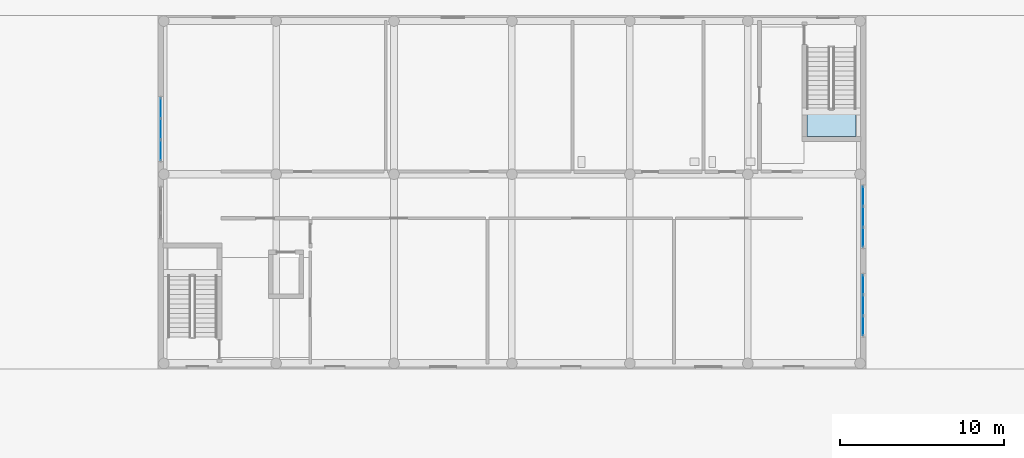
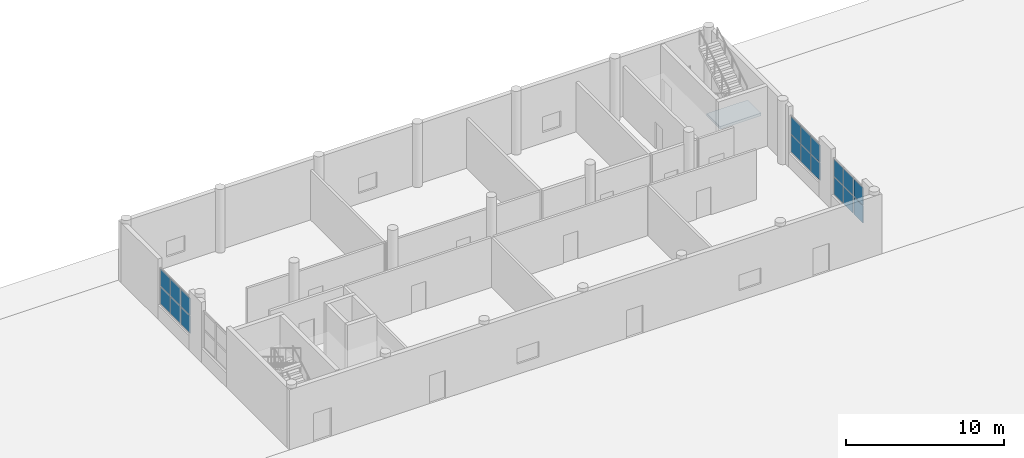
# One storey, part 33 of 85: 18 plates, 1 slab, 4 elements without a shape of their own.
"""IFC4 building model written with IfcOpenShell, lengths in metres."""

from ifc_helpers import new_model, si_unit, derived_unit, direction, frame, origin, origin_2d, place, context, subcontext, project, spatial, polyline, rectangle, outline, extrude, material, layer, layer_set, type_object, element, aggregate, save


model = new_model("IFC4")

# Units and contexts
model_context = context("Model", 3, precision=1e-05, world=origin(), true_north=direction((0.0, 1.0)))
body_context = subcontext(model_context, "Body", "Model", "MODEL_VIEW")
ifc_project = project(units=[si_unit("LENGTHUNIT", "METRE"), si_unit("AREAUNIT", "SQUARE_METRE"), si_unit("VOLUMEUNIT", "CUBIC_METRE"), si_unit("PLANEANGLEUNIT", "RADIAN"), si_unit("MASSUNIT", "GRAM", prefix="KILO"), derived_unit("THERMALTRANSMITTANCEUNIT", [(si_unit("MASSUNIT", "GRAM", prefix="KILO"), 1), (si_unit("TIMEUNIT", "SECOND"), -3), (si_unit("THERMODYNAMICTEMPERATUREUNIT", "KELVIN"), -1)])], contexts=[model_context])

# Site, building, storey
site_placement = place(None, origin())
site = spatial("IfcSite", under=ifc_project, at=site_placement, CompositionType="ELEMENT")
building_placement = place(site_placement, origin())
building = spatial("IfcBuilding", under=site, at=building_placement, Name="Ochrekiln Boulevard Commons", CompositionType="ELEMENT")
storey_placement = place(building_placement, origin())
storey = spatial("IfcBuildingStorey", under=building, at=storey_placement, Name="L00", CompositionType="ELEMENT", Elevation=0.0)

# Curtain wall, plates
ifc_material_1 = material(Name="Bronze-anodized extruded aluminium 6063-T6", Category="aluminium")
ifc_layer_1 = layer(ifc_material_1, 0.219970703125)
ifc_layer_set_1 = layer_set([ifc_layer_1], Name="Bronze-anodized extruded aluminium 6063-T6")
curtain_wall_type = type_object("IfcCurtainWallType", Name="CW-NUR", PredefinedType="USERDEFINED", material=ifc_layer_set_1)
curtain_wall_1_placement = place(storey_placement, origin())
curtain_wall_1 = element("IfcCurtainWall", 1, at=curtain_wall_1_placement, inside=storey, type_object=curtain_wall_type, Name="Nursery L00 Garden End Curtain Wall W-2", ObjectType="GLAZED CURTAIN WALL", PredefinedType="USERDEFINED")
ifc_material_2 = material(Name="Spectrally selective low-E insulated glazing", Category="glass")
ifc_layer_2 = layer(ifc_material_2, 0.02392578125)
ifc_layer_set_2 = layer_set([ifc_layer_2], Name="Spectrally selective low-E insulated glazing")
plate_type_1 = type_object("IfcPlateType", Name="CWP-GLZ-1", PredefinedType="CURTAIN_PANEL", material=ifc_layer_set_2)
plate_1_placement = place(storey_placement, frame((64.9599609375, 110.566162109375, 1.1748046875), z_axis=(0.0, 0.0, 1.0), x_axis=(0.0, 1.0, 0.0)))
plate_1 = element("IfcPlate", 2, at=plate_1_placement, type_object=plate_type_1, Name="CW-05 panel 1.1", PredefinedType="CURTAIN_PANEL", context=body_context, shape_type="SweptSolid", body=[
    extrude(rectangle(XDim=1.202392578125, YDim=0.02392578125, at=origin_2d()), origin(), (0.0, 0.0, 1.0), 1.322509765625),
])
plate_2_placement = place(storey_placement, frame((64.9599609375, 110.566162109375, 2.5625), z_axis=(0.0, 0.0, 1.0), x_axis=(0.0, 1.0, 0.0)))
plate_2 = element("IfcPlate", 3, at=plate_2_placement, type_object=plate_type_1, Name="CW-05 panel 1.2", PredefinedType="CURTAIN_PANEL", context=body_context, shape_type="SweptSolid", body=[
    extrude(rectangle(XDim=1.202392578125, YDim=0.02392578125, at=origin_2d()), origin(), (0.0, 0.0, 1.0), 1.322509765625),
])
plate_3_placement = place(storey_placement, frame((64.9599609375, 111.85009765625, 1.1748046875), z_axis=(0.0, 0.0, 1.0), x_axis=(0.0, 1.0, 0.0)))
plate_3 = element("IfcPlate", 4, at=plate_3_placement, type_object=plate_type_1, Name="CW-05 panel 2.1", PredefinedType="CURTAIN_PANEL", context=body_context, shape_type="SweptSolid", body=[
    extrude(rectangle(XDim=1.235107421875, YDim=0.02392578125, at=origin_2d()), origin(), (0.0, 0.0, 1.0), 1.322509765625),
])
plate_4_placement = place(storey_placement, frame((64.9599609375, 111.85009765625, 2.5625), z_axis=(0.0, 0.0, 1.0), x_axis=(0.0, 1.0, 0.0)))
plate_4 = element("IfcPlate", 5, at=plate_4_placement, type_object=plate_type_1, Name="CW-05 panel 2.2", PredefinedType="CURTAIN_PANEL", context=body_context, shape_type="SweptSolid", body=[
    extrude(rectangle(XDim=1.235107421875, YDim=0.02392578125, at=origin_2d()), origin(), (0.0, 0.0, 1.0), 1.322509765625),
])
plate_5_placement = place(storey_placement, frame((64.9599609375, 113.1337890625, 1.1748046875), z_axis=(0.0, 0.0, 1.0), x_axis=(0.0, 1.0, 0.0)))
plate_5 = element("IfcPlate", 6, at=plate_5_placement, type_object=plate_type_1, Name="CW-05 panel 3.1", PredefinedType="CURTAIN_PANEL", context=body_context, shape_type="SweptSolid", body=[
    extrude(rectangle(XDim=1.202392578125, YDim=0.02392578125, at=origin_2d()), origin(), (0.0, 0.0, 1.0), 1.322509765625),
])
plate_6_placement = place(storey_placement, frame((64.9599609375, 113.1337890625, 2.5625), z_axis=(0.0, 0.0, 1.0), x_axis=(0.0, 1.0, 0.0)))
plate_6 = element("IfcPlate", 7, at=plate_6_placement, type_object=plate_type_1, Name="CW-05 panel 3.2", PredefinedType="CURTAIN_PANEL", context=body_context, shape_type="SweptSolid", body=[
    extrude(rectangle(XDim=1.202392578125, YDim=0.02392578125, at=origin_2d()), origin(), (0.0, 0.0, 1.0), 1.322509765625),
])
aggregate(curtain_wall_1, [plate_1, plate_2, plate_3, plate_4, plate_5, plate_6])

curtain_wall_2_placement = place(storey_placement, origin())
curtain_wall_2 = element("IfcCurtainWall", 8, at=curtain_wall_2_placement, inside=storey, type_object=curtain_wall_type, Name="Nursery L00 Garden End Curtain Wall E-1", ObjectType="GLAZED CURTAIN WALL", PredefinedType="USERDEFINED")
ifc_layer_3 = layer(ifc_material_2, 0.030029296875)
ifc_layer_set_3 = layer_set([ifc_layer_3], Name="Spectrally selective low-E insulated glazing")
plate_type_2 = type_object("IfcPlateType", Name="CWP-GLZ-2", PredefinedType="CURTAIN_PANEL", material=ifc_layer_set_3)
plate_7_placement = place(storey_placement, frame((107.840087890625, 99.849609375, 1.1748046875), z_axis=(0.0, 0.0, 1.0), x_axis=(0.0, 1.0, 0.0)))
plate_7 = element("IfcPlate", 9, at=plate_7_placement, type_object=plate_type_2, Name="CW-05 panel 1.1", PredefinedType="CURTAIN_PANEL", context=body_context, shape_type="SweptSolid", body=[
    extrude(rectangle(XDim=1.169189453125, YDim=0.030029296875, at=origin_2d()), origin(), (0.0, 0.0, 1.0), 1.322509765625),
])
plate_8_placement = place(storey_placement, frame((107.840087890625, 99.849609375, 2.5625), z_axis=(0.0, 0.0, 1.0), x_axis=(0.0, 1.0, 0.0)))
plate_8 = element("IfcPlate", 10, at=plate_8_placement, type_object=plate_type_2, Name="CW-05 panel 1.2", PredefinedType="CURTAIN_PANEL", context=body_context, shape_type="SweptSolid", body=[
    extrude(rectangle(XDim=1.169189453125, YDim=0.030029296875, at=origin_2d()), origin(), (0.0, 0.0, 1.0), 1.322509765625),
])
plate_9_placement = place(storey_placement, frame((107.840087890625, 101.10009765625, 1.1748046875), z_axis=(0.0, 0.0, 1.0), x_axis=(0.0, 1.0, 0.0)))
plate_9 = element("IfcPlate", 11, at=plate_9_placement, type_object=plate_type_2, Name="CW-05 panel 2.1", PredefinedType="CURTAIN_PANEL", context=body_context, shape_type="SweptSolid", body=[
    extrude(rectangle(XDim=1.20166015625, YDim=0.030029296875, at=origin_2d()), origin(), (0.0, 0.0, 1.0), 1.322509765625),
])
plate_10_placement = place(storey_placement, frame((107.840087890625, 101.10009765625, 2.5625), z_axis=(0.0, 0.0, 1.0), x_axis=(0.0, 1.0, 0.0)))
plate_10 = element("IfcPlate", 12, at=plate_10_placement, type_object=plate_type_2, Name="CW-05 panel 2.2", PredefinedType="CURTAIN_PANEL", context=body_context, shape_type="SweptSolid", body=[
    extrude(rectangle(XDim=1.20166015625, YDim=0.030029296875, at=origin_2d()), origin(), (0.0, 0.0, 1.0), 1.322509765625),
])
plate_11_placement = place(storey_placement, frame((107.840087890625, 102.350341796875, 1.1748046875), z_axis=(0.0, 0.0, 1.0), x_axis=(0.0, 1.0, 0.0)))
plate_11 = element("IfcPlate", 13, at=plate_11_placement, type_object=plate_type_2, Name="CW-05 panel 3.1", PredefinedType="CURTAIN_PANEL", context=body_context, shape_type="SweptSolid", body=[
    extrude(rectangle(XDim=1.169189453125, YDim=0.030029296875, at=origin_2d()), origin(), (0.0, 0.0, 1.0), 1.322509765625),
])
plate_12_placement = place(storey_placement, frame((107.840087890625, 102.350341796875, 2.5625), z_axis=(0.0, 0.0, 1.0), x_axis=(0.0, 1.0, 0.0)))
plate_12 = element("IfcPlate", 14, at=plate_12_placement, type_object=plate_type_2, Name="CW-05 panel 3.2", PredefinedType="CURTAIN_PANEL", context=body_context, shape_type="SweptSolid", body=[
    extrude(rectangle(XDim=1.169189453125, YDim=0.030029296875, at=origin_2d()), origin(), (0.0, 0.0, 1.0), 1.322509765625),
])
aggregate(curtain_wall_2, [plate_7, plate_8, plate_9, plate_10, plate_11, plate_12])

curtain_wall_3_placement = place(storey_placement, origin())
curtain_wall_3 = element("IfcCurtainWall", 15, at=curtain_wall_3_placement, inside=storey, type_object=curtain_wall_type, Name="Nursery L00 Garden End Curtain Wall E-2", ObjectType="GLAZED CURTAIN WALL", PredefinedType="USERDEFINED")
ifc_layer_4 = layer(ifc_material_2, 0.035888671875)
ifc_layer_set_4 = layer_set([ifc_layer_4], Name="Spectrally selective low-E insulated glazing")
plate_type_3 = type_object("IfcPlateType", Name="CWP-GLZ-3", PredefinedType="CURTAIN_PANEL", material=ifc_layer_set_4)
plate_13_placement = place(storey_placement, frame((107.840087890625, 105.24951171875, 1.1748046875), z_axis=(0.0, 0.0, 1.0), x_axis=(0.0, 1.0, 0.0)))
plate_13 = element("IfcPlate", 16, at=plate_13_placement, type_object=plate_type_3, Name="CW-05 panel 1.1", PredefinedType="CURTAIN_PANEL", context=body_context, shape_type="SweptSolid", body=[
    extrude(rectangle(XDim=1.169189453125, YDim=0.035888671875, at=origin_2d()), origin(), (0.0, 0.0, 1.0), 1.322509765625),
])
plate_14_placement = place(storey_placement, frame((107.840087890625, 105.24951171875, 2.5625), z_axis=(0.0, 0.0, 1.0), x_axis=(0.0, 1.0, 0.0)))
plate_14 = element("IfcPlate", 17, at=plate_14_placement, type_object=plate_type_3, Name="CW-05 panel 1.2", PredefinedType="CURTAIN_PANEL", context=body_context, shape_type="SweptSolid", body=[
    extrude(rectangle(XDim=1.169189453125, YDim=0.035888671875, at=origin_2d()), origin(), (0.0, 0.0, 1.0), 1.322509765625),
])
plate_15_placement = place(storey_placement, frame((107.840087890625, 106.5, 1.1748046875), z_axis=(0.0, 0.0, 1.0), x_axis=(0.0, 1.0, 0.0)))
plate_15 = element("IfcPlate", 18, at=plate_15_placement, type_object=plate_type_3, Name="CW-05 panel 2.1", PredefinedType="CURTAIN_PANEL", context=body_context, shape_type="SweptSolid", body=[
    extrude(rectangle(XDim=1.20166015625, YDim=0.035888671875, at=origin_2d()), origin(), (0.0, 0.0, 1.0), 1.322509765625),
])
plate_16_placement = place(storey_placement, frame((107.840087890625, 106.5, 2.5625), z_axis=(0.0, 0.0, 1.0), x_axis=(0.0, 1.0, 0.0)))
plate_16 = element("IfcPlate", 19, at=plate_16_placement, type_object=plate_type_3, Name="CW-05 panel 2.2", PredefinedType="CURTAIN_PANEL", context=body_context, shape_type="SweptSolid", body=[
    extrude(rectangle(XDim=1.20166015625, YDim=0.035888671875, at=origin_2d()), origin(), (0.0, 0.0, 1.0), 1.322509765625),
])
plate_17_placement = place(storey_placement, frame((107.840087890625, 107.75048828125, 1.1748046875), z_axis=(0.0, 0.0, 1.0), x_axis=(0.0, 1.0, 0.0)))
plate_17 = element("IfcPlate", 20, at=plate_17_placement, type_object=plate_type_3, Name="CW-05 panel 3.1", PredefinedType="CURTAIN_PANEL", context=body_context, shape_type="SweptSolid", body=[
    extrude(rectangle(XDim=1.169189453125, YDim=0.035888671875, at=origin_2d()), origin(), (0.0, 0.0, 1.0), 1.322509765625),
])
plate_18_placement = place(storey_placement, frame((107.840087890625, 107.75048828125, 2.5625), z_axis=(0.0, 0.0, 1.0), x_axis=(0.0, 1.0, 0.0)))
plate_18 = element("IfcPlate", 21, at=plate_18_placement, type_object=plate_type_3, Name="CW-05 panel 3.2", PredefinedType="CURTAIN_PANEL", context=body_context, shape_type="SweptSolid", body=[
    extrude(rectangle(XDim=1.169189453125, YDim=0.035888671875, at=origin_2d()), origin(), (0.0, 0.0, 1.0), 1.322509765625),
])
aggregate(curtain_wall_3, [plate_13, plate_14, plate_15, plate_16, plate_17, plate_18])

# Stair, slab
ifc_material_3 = material(Name="Concrete C35/45", Category="concrete")
stair_type = type_object("IfcStairType", Name="STR-DL-490", PredefinedType="TWO_STRAIGHT_RUN_STAIR", material=ifc_material_3)
stair_placement = place(storey_placement, origin())
stair = element("IfcStair", 22, at=stair_placement, inside=storey, type_object=stair_type, Name="L00 Enclosed Exit Stair ST-N2", PredefinedType="TWO_STRAIGHT_RUN_STAIR")
ifc_layer_5 = layer(ifc_material_3, 0.199951171875)
ifc_layer_set_5 = layer_set([ifc_layer_5], Name="Concrete C35/45")
slab_type = type_object("IfcSlabType", Name="SLB-LND-200", PredefinedType="LANDING", material=ifc_layer_set_5)
slab_placement = place(storey_placement, frame((0.0, 0.0, 2.25)))
slab = element("IfcSlab", 23, at=slab_placement, type_object=slab_type, Name="ST-N2 landing 1", PredefinedType="LANDING", context=body_context, shape_type="SweptSolid", body=[
    extrude(outline(polyline([(104.39990234375, 113.080078125), (104.39990234375, 111.39990234375), (107.39990234375, 111.39990234375), (107.39990234375, 113.080078125), (104.39990234375, 113.080078125)])), origin(), (0.0, 0.0, 1.0), 0.199951171875),
])
aggregate(stair, [slab])

save(model, "model.ifc")
